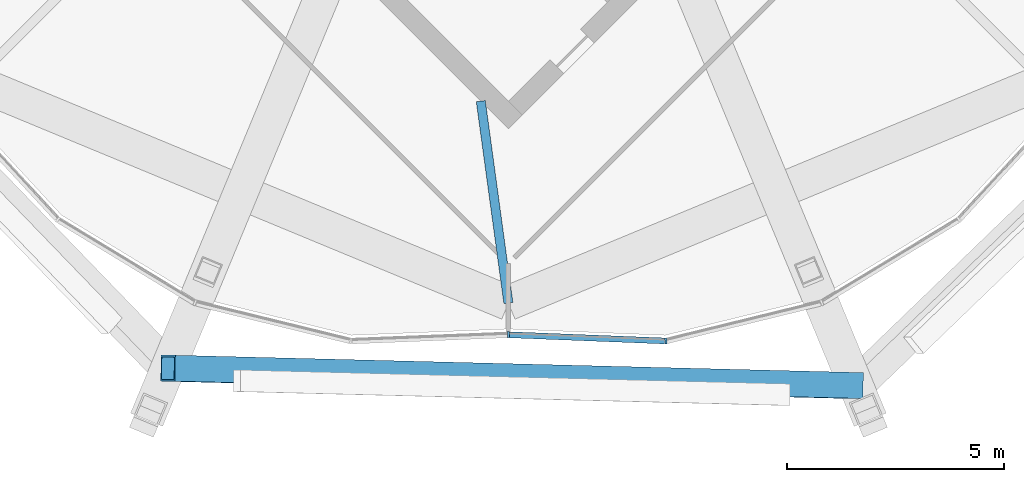
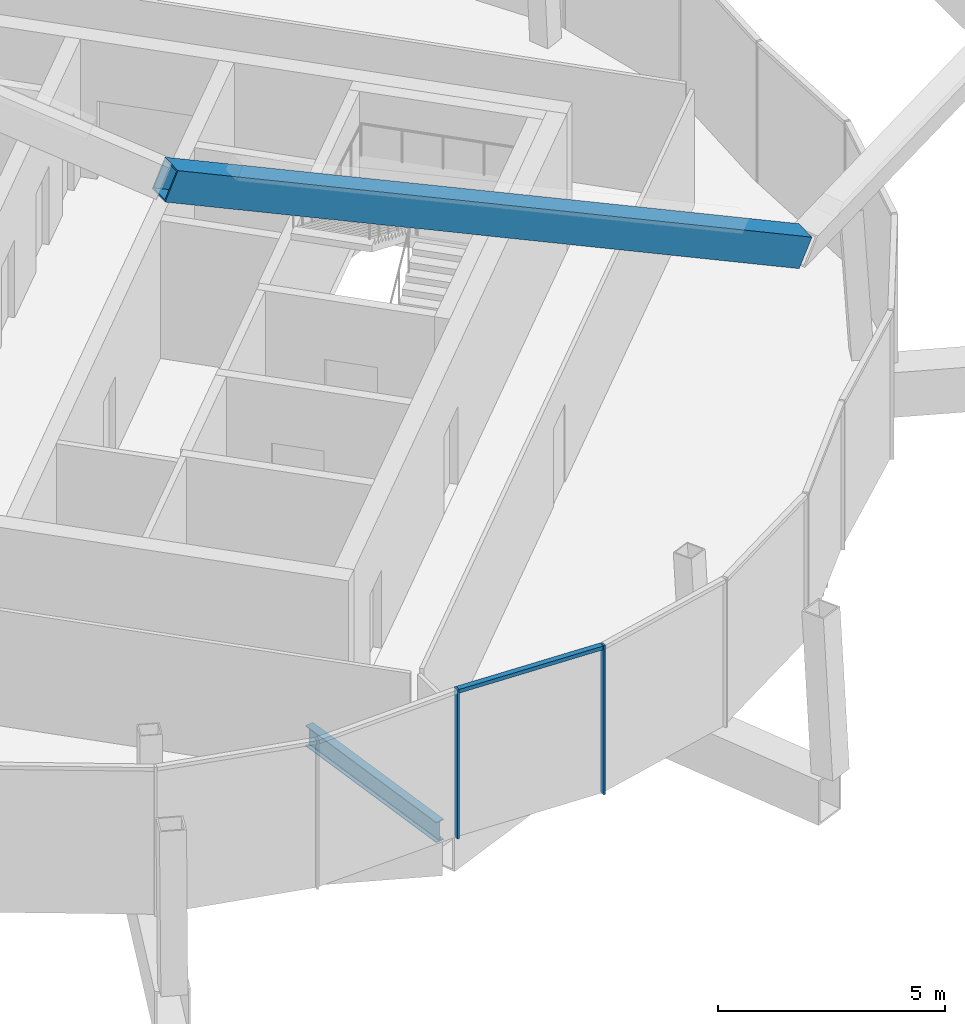
# One storey, part 15 of 34: 3 members, 2 beams, 2 elements without a shape of their own.
"""IFC4 building model written with IfcOpenShell, lengths in metres."""

from ifc_helpers import new_model, si_unit, direction, frame, origin, origin_2d, place, context, subcontext, project, spatial, rectangle, hollow_rectangle, i_section, extrude, material, material_profile, profile_set, type_object, element, aggregate, save


model = new_model("IFC4")

# Units and contexts
model_context = context("Model", 3, precision=1e-05, world=origin(), true_north=direction((0.0, 1.0)))
body_context = subcontext(model_context, "Body", "Model", "MODEL_VIEW")
ifc_project = project(units=[si_unit("LENGTHUNIT", "METRE"), si_unit("AREAUNIT", "SQUARE_METRE"), si_unit("VOLUMEUNIT", "CUBIC_METRE"), si_unit("PLANEANGLEUNIT", "RADIAN"), si_unit("MASSUNIT", "GRAM", prefix="KILO")], contexts=[model_context])

# Site, building, storey
site_placement = place(None, origin())
site = spatial("IfcSite", under=ifc_project, at=site_placement, CompositionType="ELEMENT")
building_placement = place(site_placement, origin())
building = spatial("IfcBuilding", under=site, at=building_placement, Name="Ogive Gate Towers", CompositionType="ELEMENT")
storey_placement = place(building_placement, frame((0.0, 0.0, 294.0)))
storey = spatial("IfcBuildingStorey", under=building, at=storey_placement, Name="L69", CompositionType="ELEMENT", Elevation=294.0)

# Curtain wall, member
ifc_material_1 = material(Name="Pale metal aluminium", Category="aluminium")
curtain_wall_type = type_object("IfcCurtainWallType", Name="Crown lean wall", PredefinedType="NOTDEFINED", material=ifc_material_1)
curtain_wall_1_placement = place(storey_placement, origin())
curtain_wall_1 = element("IfcCurtainWall", 1, at=curtain_wall_1_placement, inside=storey, type_object=curtain_wall_type, Name="CW5 T2 ECW06", PredefinedType="NOTDEFINED")
ifc_material_profile_1 = material_profile(ifc_material_1, rectangle(XDim=0.139892578125, YDim=0.050048828125, at=origin_2d()), Name="50 x 140 aluminium box")
ifc_profile_set_1 = profile_set([ifc_material_profile_1], Name="Pale metal aluminium")
member_type_1 = type_object("IfcMemberType", Name="Crown lean wall mullion 50 x 140", PredefinedType="MULLION", material=ifc_profile_set_1)
member_1_placement = place(storey_placement, frame((36.001220703125, -18.18505859375, -0.300048828125), z_axis=(0.0, 0.0, 1.0), x_axis=(-0.039608610093, 0.999215271104, 0.0)))
member_1 = element("IfcMember", 2, at=member_1_placement, type_object=member_type_1, Name="CW5 mullion", PredefinedType="MULLION", context=body_context, shape_type="SweptSolid", body=[
    extrude(rectangle(XDim=0.139892578125, YDim=0.050048828125, at=origin_2d()), origin(), (0.0, 0.0, 1.0), 4.0),
])
aggregate(curtain_wall_1, [member_1])

# Curtain wall, members
curtain_wall_2_placement = place(storey_placement, origin())
curtain_wall_2 = element("IfcCurtainWall", 3, at=curtain_wall_2_placement, inside=storey, type_object=curtain_wall_type, Name="CW5 T2 ECW07", PredefinedType="NOTDEFINED")
member_2_placement = place(storey_placement, frame((39.633056640625, -18.328857421875, -0.300048828125), z_axis=(0.0, 0.0, 1.0), x_axis=(-0.100101233848, 0.99497725752, 0.0)))
member_2 = element("IfcMember", 4, at=member_2_placement, type_object=member_type_1, Name="CW5 mullion", PredefinedType="MULLION", context=body_context, shape_type="SweptSolid", body=[
    extrude(rectangle(XDim=0.139892578125, YDim=0.050048828125, at=origin_2d()), origin(), (0.0, 0.0, 1.0), 4.0),
])
ifc_material_profile_2 = material_profile(ifc_material_1, rectangle(XDim=0.139892578125, YDim=0.10009765625, at=origin_2d()), Name="100 x 140 aluminium box")
ifc_profile_set_2 = profile_set([ifc_material_profile_2], Name="Pale metal aluminium")
member_type_2 = type_object("IfcMemberType", Name="Crown lean wall transom 100 x 140", PredefinedType="USERDEFINED", material=ifc_profile_set_2)
member_3_placement = place(storey_placement, frame((39.603759765625, -18.327880859375, 3.64990234375), z_axis=(-0.99921601742, 0.039589778104, 0.0), x_axis=(-0.039589778104, -0.99921601742, 0.0)))
member_3 = element("IfcMember", 5, at=member_3_placement, type_object=member_type_2, Name="CW5 transom", ObjectType="TRANSOM", PredefinedType="USERDEFINED", context=body_context, shape_type="SweptSolid", body=[
    extrude(rectangle(XDim=0.139892578125, YDim=0.10009765625, at=origin_2d()), origin(), (0.0, 0.0, 1.0), 3.5830078125),
])
aggregate(curtain_wall_2, [member_2, member_3])

# Beams
ifc_material_2 = material(Name="Steel SM460", Category="steel")
ifc_material_profile_3 = material_profile(ifc_material_2, hollow_rectangle(XDim=0.60009765625, YDim=0.800048828125, WallThickness=0.0400390625, at=origin_2d()), Name="BX 800x600x40")
ifc_profile_set_3 = profile_set([ifc_material_profile_3], Name="Steel SM460")
beam_type_1 = type_object("IfcBeamType", Name="Crown ring beam BX 800x600x40", PredefinedType="BEAM", material=ifc_profile_set_3)
beam_1_placement = place(storey_placement, frame((28.1474609375, -18.957763671875, 20.57470703125), z_axis=(0.912575002442, -0.023077932348, -0.408257607347), x_axis=(-0.021067526414, -0.999733669046, 0.009420738138)))
element("IfcBeam", 6, at=beam_1_placement, inside=storey, type_object=beam_type_1, Name="T2/L69/SBM006", PredefinedType="BEAM", context=body_context, shape_type="SweptSolid", body=[
    extrude(hollow_rectangle(XDim=0.60009765625, YDim=0.800048828125, WallThickness=0.0400390625, at=origin_2d()), origin(), (0.0, 0.0, 1.0), 17.391845703125),
])
ifc_material_3 = material(Name="Steel SM355", Category="steel")
ifc_material_profile_4 = material_profile(ifc_material_3, i_section(OverallWidth=0.2099609375, OverallDepth=0.550048828125, WebThickness=0.010986328125, FlangeThickness=0.01708984375, FilletRadius=0.02392578125, at=origin_2d()), Name="IPE 550")
ifc_profile_set_4 = profile_set([ifc_material_profile_4], Name="Steel SM355")
beam_type_2 = type_object("IfcBeamType", Name="Radial floor beam IPE 550", PredefinedType="BEAM", material=ifc_profile_set_4)
beam_2_placement = place(storey_placement, frame((35.363525390625, -12.798583984375, -0.574951171875), z_axis=(0.135426145155, -0.99078744401, 0.0), x_axis=(0.99078744401, 0.135426145155, 0.0)))
element("IfcBeam", 7, at=beam_2_placement, inside=storey, type_object=beam_type_2, Name="T2/L69/SBM011", PredefinedType="BEAM", context=body_context, shape_type="SweptSolid", body=[
    extrude(i_section(OverallWidth=0.2099609375, OverallDepth=0.550048828125, WebThickness=0.010986328125, FlangeThickness=0.01708984375, FilletRadius=0.02392578125, at=origin_2d()), origin(), (0.0, 0.0, 1.0), 4.69970703125),
])

save(model, "model.ifc")
